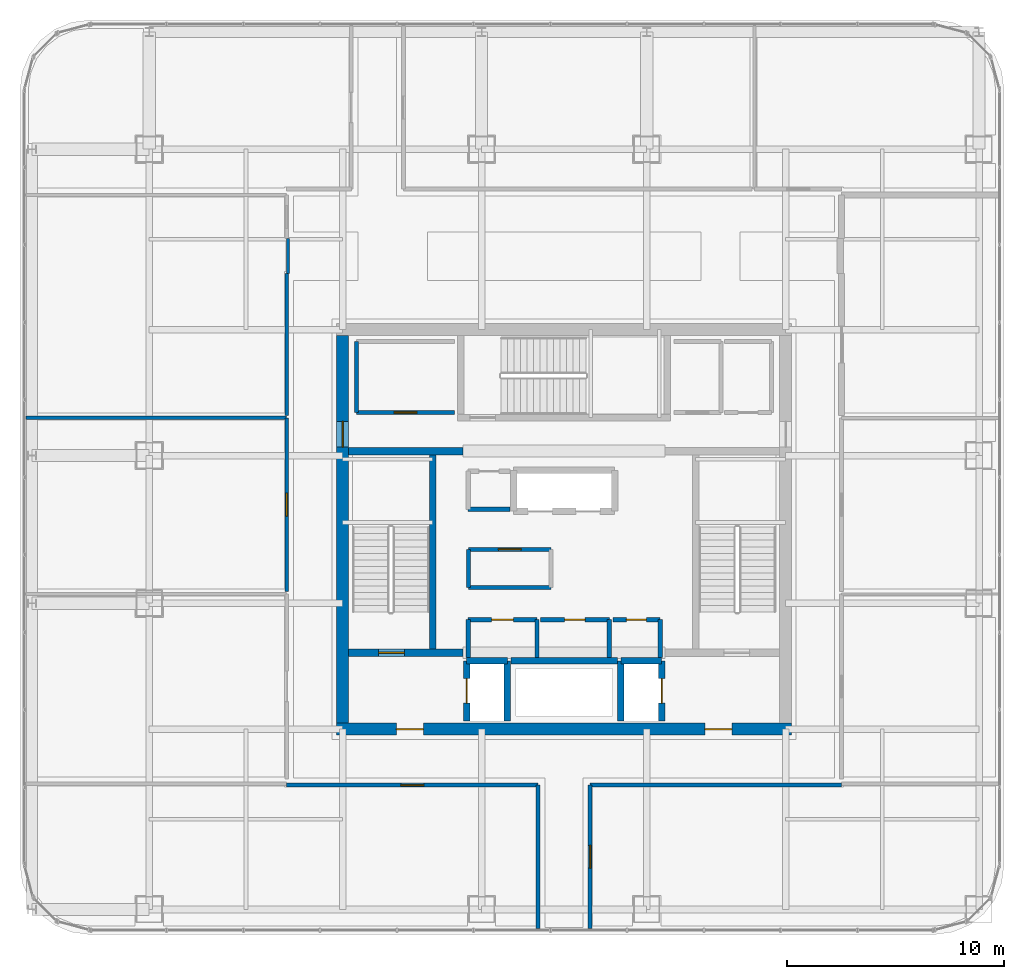
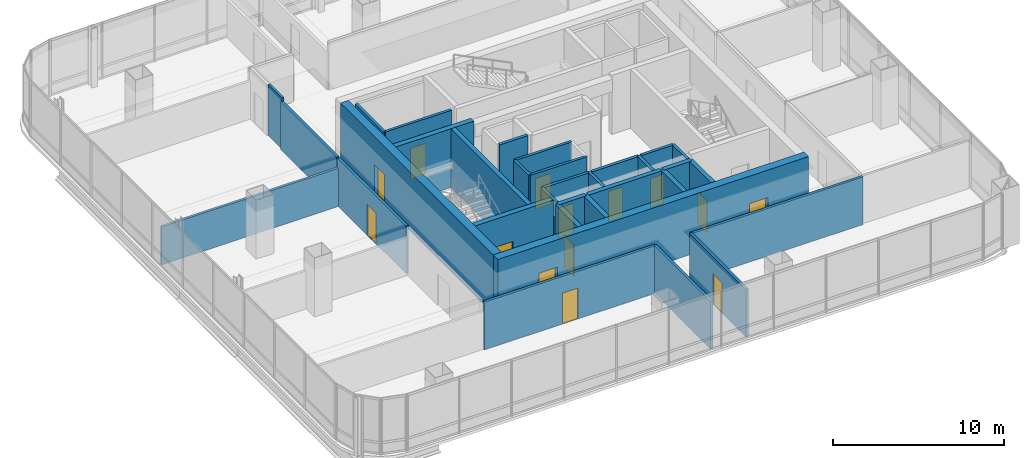
# One storey, part 34 of 41: 33 walls, 14 doors, 14 openings.
"""IFC4 building model written with IfcOpenShell, lengths in metres."""

from ifc_helpers import new_model, si_unit, direction, frame, frame_2d, origin, place, context, subcontext, project, spatial, rectangle, extrude, material, layer, layer_set, type_object, element, fill, save


model = new_model("IFC4")

# Units and contexts
model_context = context("Model", 3, precision=1e-05, world=origin(), true_north=direction((0.0, 1.0)))
body_context = subcontext(model_context, "Body", "Model", "MODEL_VIEW")
ifc_project = project(units=[si_unit("LENGTHUNIT", "METRE"), si_unit("AREAUNIT", "SQUARE_METRE"), si_unit("VOLUMEUNIT", "CUBIC_METRE"), si_unit("PLANEANGLEUNIT", "RADIAN"), si_unit("MASSUNIT", "GRAM", prefix="KILO")], contexts=[model_context])

# Site, building, storey
site_placement = place(None, origin())
site = spatial("IfcSite", under=ifc_project, at=site_placement, CompositionType="ELEMENT")
building_placement = place(site_placement, origin())
building = spatial("IfcBuilding", under=site, at=building_placement, Name="Punatoya Terracotta Tower", CompositionType="ELEMENT")
storey_placement = place(building_placement, frame((0.0, 0.0, 292.199951171875)))
storey = spatial("IfcBuildingStorey", under=building, at=storey_placement, Name="L69", CompositionType="ELEMENT", Elevation=292.199951171875)

# Wall, openings, doors
ifc_material_1 = material(Name="Concrete C50/60", Category="concrete")
ifc_layer_1 = layer(ifc_material_1, 0.550048828125)
ifc_layer_set_1 = layer_set([ifc_layer_1], Name="Concrete C50/60")
wall_type_1 = type_object("IfcWallType", Name="WL-COR-550", PredefinedType="SHEAR", material=ifc_layer_set_1)
wall_1_placement = place(storey_placement, frame((10.47509765625, -9.199951171875, 0.0), z_axis=(0.0, 0.0, 1.0), x_axis=(-1.0, 0.0, 0.0)))
wall_1 = element("IfcWall", 1, at=wall_1_placement, inside=storey, type_object=wall_type_1, Name="L69 Core Shear Wall S", PredefinedType="SHEAR", context=body_context, shape_type="SweptSolid", body=[
    extrude(rectangle(XDim=20.9501953125, YDim=0.550048828125, at=frame_2d((10.47509765625, 0.0))), origin(), (0.0, 0.0, 1.0), 4.199951171875),
])
opening_1_placement = place(wall_1_placement, frame((2.75, 0.0, 0.0)))
opening_1 = element("IfcOpeningElement", 2, at=opening_1_placement, cuts=wall_1, Name="Opening FD-L1", PredefinedType="OPENING", context=body_context, shape_type="SweptSolid", body=[
    extrude(rectangle(XDim=1.25, YDim=2.25, at=frame_2d((0.625, 1.125))), frame((0.0, 0.284912109375, 0.0), z_axis=(0.0, -1.0, 0.0), x_axis=(1.0, 0.0, 0.0)), (0.0, 0.0, 1.0), 0.570068359375),
])
opening_2_placement = place(wall_1_placement, frame((16.949951171875, 0.0, 0.0)))
opening_2 = element("IfcOpeningElement", 3, at=opening_2_placement, cuts=wall_1, Name="Opening FD-L1", PredefinedType="OPENING", context=body_context, shape_type="SweptSolid", body=[
    extrude(rectangle(XDim=1.25, YDim=2.25, at=frame_2d((0.625, 1.125))), frame((0.0, 0.284912109375, 0.0), z_axis=(0.0, -1.0, 0.0), x_axis=(1.0, 0.0, 0.0)), (0.0, 0.0, 1.0), 0.570068359375),
])
ifc_material_2 = material(Name="Galvanised Steel Smokeproof Fire Door", Category="steel")
door_type_1 = type_object("IfcDoorType", Name="DR-FFL-1250", OperationType="NOTDEFINED", PredefinedType="DOOR", material=ifc_material_2)
door_1_placement = place(opening_1_placement, origin())
door_1 = element("IfcDoor", 4, at=door_1_placement, inside=storey, type_object=door_type_1, Name="L69 East Firefighting Lobby Corridor Fire Door", OperationType="SINGLE_SWING_LEFT", OverallHeight=2.25, OverallWidth=1.25, PredefinedType="DOOR", context=body_context, shape_type="SweptSolid", body=[
    extrude(rectangle(XDim=1.25, YDim=2.25, at=frame_2d((0.625, 1.125))), frame((0.0, 0.02490234375, 0.0), z_axis=(0.0, -1.0, 0.0), x_axis=(1.0, 0.0, 0.0)), (0.0, 0.0, 1.0), 0.050048828125),
])
fill(opening_1, door_1)
door_2_placement = place(opening_2_placement, origin())
door_2 = element("IfcDoor", 5, at=door_2_placement, inside=storey, type_object=door_type_1, Name="L69 West Firefighting Lobby Corridor Fire Door", OperationType="SINGLE_SWING_RIGHT", OverallHeight=2.25, OverallWidth=1.25, PredefinedType="DOOR", context=body_context, shape_type="SweptSolid", body=[
    extrude(rectangle(XDim=1.25, YDim=2.25, at=frame_2d((0.625, 1.125))), frame((0.0, 0.02490234375, 0.0), z_axis=(0.0, -1.0, 0.0), x_axis=(1.0, 0.0, 0.0)), (0.0, 0.0, 1.0), 0.050048828125),
])
fill(opening_2, door_2)

# Wall, opening, door
wall_2_placement = place(storey_placement, frame((-10.199951171875, -8.925048828125, 0.0), z_axis=(0.0, 0.0, 1.0), x_axis=(0.0, 1.0, 0.0)))
wall_2 = element("IfcWall", 6, at=wall_2_placement, inside=storey, type_object=wall_type_1, Name="L69 Core Shear Wall W", PredefinedType="SHEAR", context=body_context, shape_type="SweptSolid", body=[
    extrude(rectangle(XDim=17.85009765625, YDim=0.550048828125, at=frame_2d((8.925048828125, 0.0))), origin(), (0.0, 0.0, 1.0), 4.199951171875),
])
opening_3_placement = place(wall_2_placement, frame((12.715087890625, 0.0, 0.0)))
opening_3 = element("IfcOpeningElement", 7, at=opening_3_placement, cuts=wall_2, Name="Opening SD-01", PredefinedType="OPENING", context=body_context, shape_type="SweptSolid", body=[
    extrude(rectangle(XDim=1.179931640625, YDim=2.199951171875, at=frame_2d((0.58984375, 1.10009765625))), frame((0.0, 0.284912109375, 0.0), z_axis=(0.0, -1.0, 0.0), x_axis=(1.0, 0.0, 0.0)), (0.0, 0.0, 1.0), 0.570068359375),
])
ifc_material_3 = material(Name="Galvanised Steel Pressurized Stair Fire Door", Category="steel")
door_type_2 = type_object("IfcDoorType", Name="DR-STR-1180", OperationType="NOTDEFINED", PredefinedType="DOOR", material=ifc_material_3)
door_3_placement = place(opening_3_placement, origin())
door_3 = element("IfcDoor", 8, at=door_3_placement, inside=storey, type_object=door_type_2, Name="L69 Central Lift Lobby West Fire Door", OperationType="SINGLE_SWING_LEFT", OverallHeight=2.199951171875, OverallWidth=1.179931640625, PredefinedType="DOOR", context=body_context, shape_type="SweptSolid", body=[
    extrude(rectangle(XDim=1.179931640625, YDim=2.199951171875, at=frame_2d((0.58984375, 1.10009765625))), frame((0.0, 0.02490234375, 0.0), z_axis=(0.0, -1.0, 0.0), x_axis=(1.0, 0.0, 0.0)), (0.0, 0.0, 1.0), 0.050048828125),
])
fill(opening_3, door_3)

ifc_material_4 = material(Name="Gypsum Fireboard + Steel Stud", Category="steel")
ifc_layer_2 = layer(ifc_material_4, 0.179931640625)
ifc_layer_set_2 = layer_set([ifc_layer_2], Name="Gypsum Fireboard + Steel Stud")
wall_type_2 = type_object("IfcWallType", Name="WL-CORR-180", PredefinedType="PARTITIONING", material=ifc_layer_set_2)
wall_3_placement = place(storey_placement, frame((-0.60009765625, -0.919921875, 0.0), z_axis=(0.0, 0.0, 1.0), x_axis=(-1.0, 0.0, 0.0)))
wall_3 = element("IfcWall", 9, at=wall_3_placement, inside=storey, type_object=wall_type_2, Name="L69 West Core Archive Office Partition 09", PredefinedType="PARTITIONING", context=body_context, shape_type="SweptSolid", body=[
    extrude(rectangle(XDim=3.7998046875, YDim=0.179931640625, at=frame_2d((1.89990234375, 0.0))), origin(), (0.0, 0.0, 1.0), 4.0),
])
opening_4_placement = place(wall_3_placement, frame((1.375, 0.0, 0.0)))
opening_4 = element("IfcOpeningElement", 10, at=opening_4_placement, cuts=wall_3, Name="Opening OD-01", PredefinedType="OPENING", context=body_context, shape_type="SweptSolid", body=[
    extrude(rectangle(XDim=1.050048828125, YDim=2.199951171875, at=frame_2d((0.52490234375, 1.10009765625))), frame((0.0, 0.099853515625, 0.0), z_axis=(0.0, -1.0, 0.0), x_axis=(1.0, 0.0, 0.0)), (0.0, 0.0, 1.0), 0.199951171875),
])
ifc_material_5 = material(Name="Bengal Teak Solid-Core Leaf")
door_type_3 = type_object("IfcDoorType", Name="DR-OFF-1050", OperationType="NOTDEFINED", PredefinedType="DOOR", material=ifc_material_5)
door_4_placement = place(opening_4_placement, origin())
door_4 = element("IfcDoor", 11, at=door_4_placement, inside=storey, type_object=door_type_3, Name="L69 West Archive Office Door", OperationType="SINGLE_SWING_RIGHT", OverallHeight=2.199951171875, OverallWidth=1.050048828125, PredefinedType="DOOR", context=body_context, shape_type="SweptSolid", body=[
    extrude(rectangle(XDim=1.050048828125, YDim=2.199951171875, at=frame_2d((0.52490234375, 1.10009765625))), frame((0.0, 0.02490234375, 0.0), z_axis=(0.0, -1.0, 0.0), x_axis=(1.0, 0.0, 0.0)), (0.0, 0.0, 1.0), 0.050048828125),
])
fill(opening_4, door_4)

# Walls
wall_4_placement = place(storey_placement, frame((-4.39990234375, -0.919921875, 0.0), z_axis=(0.0, 0.0, 1.0), x_axis=(0.0, -1.0, 0.0)))
element("IfcWall", 12, at=wall_4_placement, inside=storey, type_object=wall_type_2, Name="L69 West Core Archive Office Partition 10", PredefinedType="PARTITIONING", context=body_context, shape_type="SweptSolid", body=[
    extrude(rectangle(XDim=1.760009765625, YDim=0.179931640625, at=frame_2d((0.8798828125, 0.0))), origin(), (0.0, 0.0, 1.0), 4.0),
])
wall_5_placement = place(storey_placement, frame((-4.39990234375, -2.679931640625, 0.0), z_axis=(0.0, 0.0, 1.0), x_axis=(1.0, 0.0, 0.0)))
element("IfcWall", 13, at=wall_5_placement, inside=storey, type_object=wall_type_2, Name="L69 West Core Archive Office Partition 11", PredefinedType="PARTITIONING", context=body_context, shape_type="SweptSolid", body=[
    extrude(rectangle(XDim=3.7998046875, YDim=0.179931640625, at=frame_2d((1.89990234375, 0.0))), origin(), (0.0, 0.0, 1.0), 4.0),
])
wall_6_placement = place(storey_placement, frame((-9.550048828125, 8.64990234375, 0.0), z_axis=(0.0, 0.0, 1.0), x_axis=(0.0, -1.0, 0.0)))
element("IfcWall", 14, at=wall_6_placement, inside=storey, type_object=wall_type_2, Name="L69 West Core Records Office Partition 16", PredefinedType="PARTITIONING", context=body_context, shape_type="SweptSolid", body=[
    extrude(rectangle(XDim=3.27001953125, YDim=0.179931640625, at=frame_2d((1.635009765625, 0.0))), origin(), (0.0, 0.0, 1.0), 4.0),
])

# Wall, opening, door
wall_7_placement = place(storey_placement, frame((-9.550048828125, 5.3798828125, 0.0), z_axis=(0.0, 0.0, 1.0), x_axis=(1.0, 0.0, 0.0)))
wall_7 = element("IfcWall", 15, at=wall_7_placement, inside=storey, type_object=wall_type_2, Name="L69 West Core Records Office Partition 17", PredefinedType="PARTITIONING", context=body_context, shape_type="SweptSolid", body=[
    extrude(rectangle(XDim=4.5, YDim=0.179931640625, at=frame_2d((2.25, 0.0))), origin(), (0.0, 0.0, 1.0), 4.0),
])
opening_5_placement = place(wall_7_placement, frame((1.72509765625, 0.0, 0.0)))
opening_5 = element("IfcOpeningElement", 16, at=opening_5_placement, cuts=wall_7, Name="Opening OD-01", PredefinedType="OPENING", context=body_context, shape_type="SweptSolid", body=[
    extrude(rectangle(XDim=1.050048828125, YDim=2.199951171875, at=frame_2d((0.52490234375, 1.10009765625))), frame((0.0, 0.099853515625, 0.0), z_axis=(0.0, -1.0, 0.0), x_axis=(1.0, 0.0, 0.0)), (0.0, 0.0, 1.0), 0.199951171875),
])
door_5_placement = place(opening_5_placement, origin())
door_5 = element("IfcDoor", 17, at=door_5_placement, inside=storey, type_object=door_type_3, Name="L69 West Records Office Door", OperationType="SINGLE_SWING_RIGHT", OverallHeight=2.199951171875, OverallWidth=1.050048828125, PredefinedType="DOOR", context=body_context, shape_type="SweptSolid", body=[
    extrude(rectangle(XDim=1.050048828125, YDim=2.199951171875, at=frame_2d((0.52490234375, 1.10009765625))), frame((0.0, 0.02490234375, 0.0), z_axis=(0.0, -1.0, 0.0), x_axis=(1.0, 0.0, 0.0)), (0.0, 0.0, 1.0), 0.050048828125),
])
fill(opening_5, door_5)

wall_8_placement = place(storey_placement, frame((-12.77001953125, -11.77001953125, 0.0), z_axis=(0.0, 0.0, 1.0), x_axis=(1.0, 0.0, 0.0)))
wall_8 = element("IfcWall", 18, at=wall_8_placement, inside=storey, type_object=wall_type_2, Name="L69 Staff Wellness Studio Partition 24", PredefinedType="PARTITIONING", context=body_context, shape_type="SweptSolid", body=[
    extrude(rectangle(XDim=11.570068359375, YDim=0.179931640625, at=frame_2d((5.78515625, 0.0))), origin(), (0.0, 0.0, 1.0), 3.39404296875),
])
opening_6_placement = place(wall_8_placement, frame((5.260009765625, 0.0, 0.0)))
opening_6 = element("IfcOpeningElement", 19, at=opening_6_placement, cuts=wall_8, Name="Opening OD-01", PredefinedType="OPENING", context=body_context, shape_type="SweptSolid", body=[
    extrude(rectangle(XDim=1.050048828125, YDim=2.199951171875, at=frame_2d((0.52490234375, 1.10009765625))), frame((0.0, 0.099853515625, 0.0), z_axis=(0.0, -1.0, 0.0), x_axis=(1.0, 0.0, 0.0)), (0.0, 0.0, 1.0), 0.199951171875),
])
door_6_placement = place(opening_6_placement, origin())
door_6 = element("IfcDoor", 20, at=door_6_placement, inside=storey, type_object=door_type_3, Name="L69 Staff Wellness Studio Door", OperationType="SINGLE_SWING_LEFT", OverallHeight=2.199951171875, OverallWidth=1.050048828125, PredefinedType="DOOR", context=body_context, shape_type="SweptSolid", body=[
    extrude(rectangle(XDim=1.050048828125, YDim=2.199951171875, at=frame_2d((0.52490234375, 1.10009765625))), frame((0.0, 0.02490234375, 0.0), z_axis=(0.0, -1.0, 0.0), x_axis=(1.0, 0.0, 0.0)), (0.0, 0.0, 1.0), 0.050048828125),
])
fill(opening_6, door_6)

# Wall
wall_9_placement = place(storey_placement, frame((-1.199951171875, -11.77001953125, 0.0), z_axis=(0.0, 0.0, 1.0), x_axis=(0.0, -1.0, 0.0)))
element("IfcWall", 21, at=wall_9_placement, inside=storey, type_object=wall_type_2, Name="L69 Staff Wellness Studio Partition 25", PredefinedType="PARTITIONING", context=body_context, shape_type="SweptSolid", body=[
    extrude(rectangle(XDim=6.60009765625, YDim=0.179931640625, at=frame_2d((3.300048828125, 0.0))), origin(), (0.0, 0.0, 1.0), 3.39404296875),
])

# Wall, opening, door
wall_10_placement = place(storey_placement, frame((1.199951171875, -18.3701171875, 0.0), z_axis=(0.0, 0.0, 1.0), x_axis=(0.0, 1.0, 0.0)))
wall_10 = element("IfcWall", 22, at=wall_10_placement, inside=storey, type_object=wall_type_2, Name="L69 Open-Plan Occupational Rest Lounge Partition 27", PredefinedType="PARTITIONING", context=body_context, shape_type="SweptSolid", body=[
    extrude(rectangle(XDim=6.60009765625, YDim=0.179931640625, at=frame_2d((3.300048828125, 0.0))), origin(), (0.0, 0.0, 1.0), 3.39404296875),
])
opening_7_placement = place(wall_10_placement, frame((2.77490234375, 0.0, 0.0)))
opening_7 = element("IfcOpeningElement", 23, at=opening_7_placement, cuts=wall_10, Name="Opening OD-01", PredefinedType="OPENING", context=body_context, shape_type="SweptSolid", body=[
    extrude(rectangle(XDim=1.050048828125, YDim=2.199951171875, at=frame_2d((0.52490234375, 1.10009765625))), frame((0.0, 0.099853515625, 0.0), z_axis=(0.0, -1.0, 0.0), x_axis=(1.0, 0.0, 0.0)), (0.0, 0.0, 1.0), 0.199951171875),
])
door_7_placement = place(opening_7_placement, origin())
door_7 = element("IfcDoor", 24, at=door_7_placement, inside=storey, type_object=door_type_3, Name="L69 Open-Plan Occupational Rest Lounge Door", OperationType="SINGLE_SWING_RIGHT", OverallHeight=2.199951171875, OverallWidth=1.050048828125, PredefinedType="DOOR", context=body_context, shape_type="SweptSolid", body=[
    extrude(rectangle(XDim=1.050048828125, YDim=2.199951171875, at=frame_2d((0.52490234375, 1.10009765625))), frame((0.0, 0.02490234375, 0.0), z_axis=(0.0, -1.0, 0.0), x_axis=(1.0, 0.0, 0.0)), (0.0, 0.0, 1.0), 0.050048828125),
])
fill(opening_7, door_7)

# Wall
wall_11_placement = place(storey_placement, frame((1.199951171875, -11.77001953125, 0.0), z_axis=(0.0, 0.0, 1.0), x_axis=(1.0, 0.0, 0.0)))
element("IfcWall", 25, at=wall_11_placement, inside=storey, type_object=wall_type_2, Name="L69 Open-Plan Occupational Rest Lounge Partition 28", PredefinedType="PARTITIONING", context=body_context, shape_type="SweptSolid", body=[
    extrude(rectangle(XDim=11.570068359375, YDim=0.179931640625, at=frame_2d((5.78515625, 0.0))), origin(), (0.0, 0.0, 1.0), 3.39404296875),
])

# Wall, opening, door
wall_12_placement = place(storey_placement, frame((-12.77001953125, 5.1298828125, 0.0), z_axis=(0.0, 0.0, 1.0), x_axis=(0.0, -1.0, 0.0)))
wall_12 = element("IfcWall", 26, at=wall_12_placement, inside=storey, type_object=wall_type_2, Name="L69 Open-Plan Nutrition Tea Pantry Partition 35", PredefinedType="PARTITIONING", context=body_context, shape_type="SweptSolid", body=[
    extrude(rectangle(XDim=7.97998046875, YDim=0.179931640625, at=frame_2d((3.989990234375, 0.0))), origin(), (0.0, 0.0, 1.0), 3.39404296875),
])
opening_8_placement = place(wall_12_placement, frame((3.465087890625, 0.0, 0.0)))
opening_8 = element("IfcOpeningElement", 27, at=opening_8_placement, cuts=wall_12, Name="Opening OD-01", PredefinedType="OPENING", context=body_context, shape_type="SweptSolid", body=[
    extrude(rectangle(XDim=1.050048828125, YDim=2.199951171875, at=frame_2d((0.52490234375, 1.10009765625))), frame((0.0, 0.099853515625, 0.0), z_axis=(0.0, -1.0, 0.0), x_axis=(1.0, 0.0, 0.0)), (0.0, 0.0, 1.0), 0.199951171875),
])
door_8_placement = place(opening_8_placement, origin())
door_8 = element("IfcDoor", 28, at=door_8_placement, inside=storey, type_object=door_type_3, Name="L69 Open-Plan Nutrition Tea Pantry Door", OperationType="SINGLE_SWING_LEFT", OverallHeight=2.199951171875, OverallWidth=1.050048828125, PredefinedType="DOOR", context=body_context, shape_type="SweptSolid", body=[
    extrude(rectangle(XDim=1.050048828125, YDim=2.199951171875, at=frame_2d((0.52490234375, 1.10009765625))), frame((0.0, 0.02490234375, 0.0), z_axis=(0.0, -1.0, 0.0), x_axis=(1.0, 0.0, 0.0)), (0.0, 0.0, 1.0), 0.050048828125),
])
fill(opening_8, door_8)

# Walls
wall_13_placement = place(storey_placement, frame((-12.77001953125, 11.77001953125, 0.0), z_axis=(0.0, 0.0, 1.0), x_axis=(0.0, -1.0, 0.0)))
element("IfcWall", 29, at=wall_13_placement, inside=storey, type_object=wall_type_2, Name="L69 Cultural Reading Library Partition 41", PredefinedType="PARTITIONING", context=body_context, shape_type="SweptSolid", body=[
    extrude(rectangle(XDim=6.52001953125, YDim=0.179931640625, at=frame_2d((3.260009765625, 0.0))), origin(), (0.0, 0.0, 1.0), 3.39404296875),
])
ifc_material_6 = material(Name="Concrete C40/50", Category="concrete")
ifc_layer_3 = layer(ifc_material_6, 0.199951171875)
ifc_layer_set_3 = layer_set([ifc_layer_3], Name="Concrete C40/50")
wall_type_3 = type_object("IfcWallType", Name="WL-INT-200", PredefinedType="SOLIDWALL", material=ifc_layer_set_3)
wall_14_placement = place(storey_placement, frame((-1.25, -5.89990234375, 0.0), z_axis=(0.0, 0.0, 1.0), x_axis=(0.0, 1.0, 0.0)))
element("IfcWall", 30, at=wall_14_placement, inside=storey, type_object=wall_type_3, Name="L69 Accessible Universal Washroom Partition 01", PredefinedType="SOLIDWALL", context=body_context, shape_type="SweptSolid", body=[
    extrude(rectangle(XDim=1.739990234375, YDim=0.199951171875, at=frame_2d((0.8701171875, 0.0))), origin(), (0.0, 0.0, 1.0), 4.0),
])

# Wall, opening, door
wall_15_placement = place(storey_placement, frame((-1.25, -4.159912109375, 0.0), z_axis=(0.0, 0.0, 1.0), x_axis=(-1.0, 0.0, 0.0)))
wall_15 = element("IfcWall", 31, at=wall_15_placement, inside=storey, type_object=wall_type_3, Name="L69 Accessible Universal Washroom Partition 02", PredefinedType="SOLIDWALL", context=body_context, shape_type="SweptSolid", body=[
    extrude(rectangle(XDim=3.169921875, YDim=0.199951171875, at=frame_2d((1.5849609375, 0.0))), origin(), (0.0, 0.0, 1.0), 4.0),
])
opening_9_placement = place(wall_15_placement, frame((1.0849609375, 0.0, 0.0)))
opening_9 = element("IfcOpeningElement", 32, at=opening_9_placement, cuts=wall_15, Name="Opening AWD-1", PredefinedType="OPENING", context=body_context, shape_type="SweptSolid", body=[
    extrude(rectangle(XDim=1.0, YDim=2.14990234375, at=frame_2d((0.5, 1.074951171875))), frame((0.0, 0.10986328125, 0.0), z_axis=(0.0, -1.0, 0.0), x_axis=(1.0, 0.0, 0.0)), (0.0, 0.0, 1.0), 0.219970703125),
])
ifc_material_7 = material(Name="Bengal Teak Accessible WC Leaf")
door_type_4 = type_object("IfcDoorType", Name="DR-ACC-1000", OperationType="NOTDEFINED", PredefinedType="DOOR", material=ifc_material_7)
door_9_placement = place(opening_9_placement, origin())
door_9 = element("IfcDoor", 33, at=door_9_placement, inside=storey, type_object=door_type_4, Name="L69 Accessible Universal Washroom Door", OperationType="SINGLE_SWING_LEFT", OverallHeight=2.14990234375, OverallWidth=1.0, PredefinedType="DOOR", context=body_context, shape_type="SweptSolid", body=[
    extrude(rectangle(XDim=1.0, YDim=2.14990234375, at=frame_2d((0.5, 1.074951171875))), frame((0.0, 0.02490234375, 0.0), z_axis=(0.0, -1.0, 0.0), x_axis=(1.0, 0.0, 0.0)), (0.0, 0.0, 1.0), 0.050048828125),
])
fill(opening_9, door_9)

# Walls
for number, where, z_axis, x_axis, name in (
    (34, (-4.419921875, -4.159912109375, 0.0), (0.0, 0.0, 1.0), (0.0, -1.0, 0.0), "L69 Accessible Universal Washroom Partition 03"),
    (35, (2.080078125, -5.89990234375, 0.0), (0.0, 0.0, 1.0), (0.0, 1.0, 0.0), "L69 All-Gender Universal Washroom Partition 04"),
):
    element("IfcWall", number, at=place(storey_placement, frame(where, z_axis=z_axis, x_axis=x_axis)), inside=storey, type_object=wall_type_3, Name=name, PredefinedType="SOLIDWALL", context=body_context, shape_type="SweptSolid", body=[
        extrude(rectangle(XDim=1.739990234375, YDim=0.199951171875, at=frame_2d((0.8701171875, 0.0))), origin(), (0.0, 0.0, 1.0), 4.0),
    ])

# Wall, opening, door
wall_16_placement = place(storey_placement, frame((2.080078125, -4.159912109375, 0.0), z_axis=(0.0, 0.0, 1.0), x_axis=(-1.0, 0.0, 0.0)))
wall_16 = element("IfcWall", 36, at=wall_16_placement, inside=storey, type_object=wall_type_3, Name="L69 All-Gender Universal Washroom Partition 05", PredefinedType="SOLIDWALL", context=body_context, shape_type="SweptSolid", body=[
    extrude(rectangle(XDim=3.170166015625, YDim=0.199951171875, at=frame_2d((1.5849609375, 0.0))), origin(), (0.0, 0.0, 1.0), 4.0),
])
opening_10_placement = place(wall_16_placement, frame((1.110107421875, 0.0, 0.0)))
opening_10 = element("IfcOpeningElement", 37, at=opening_10_placement, cuts=wall_16, Name="Opening WD-01", PredefinedType="OPENING", context=body_context, shape_type="SweptSolid", body=[
    extrude(rectangle(XDim=0.949951171875, YDim=2.14990234375, at=frame_2d((0.47509765625, 1.074951171875))), frame((0.0, 0.10986328125, 0.0), z_axis=(0.0, -1.0, 0.0), x_axis=(1.0, 0.0, 0.0)), (0.0, 0.0, 1.0), 0.219970703125),
])
ifc_material_8 = material(Name="Moisture-Resistant Laminate Timber Leaf", Category="wood")
door_type_5 = type_object("IfcDoorType", Name="DR-WC-950", OperationType="NOTDEFINED", PredefinedType="DOOR", material=ifc_material_8)
door_10_placement = place(opening_10_placement, origin())
door_10 = element("IfcDoor", 38, at=door_10_placement, inside=storey, type_object=door_type_5, Name="L69 All-Gender Universal Washroom Door", OperationType="SINGLE_SWING_RIGHT", OverallHeight=2.14990234375, OverallWidth=0.949951171875, PredefinedType="DOOR", context=body_context, shape_type="SweptSolid", body=[
    extrude(rectangle(XDim=0.949951171875, YDim=2.14990234375, at=frame_2d((0.47509765625, 1.074951171875))), frame((0.0, 0.02490234375, 0.0), z_axis=(0.0, -1.0, 0.0), x_axis=(1.0, 0.0, 0.0)), (0.0, 0.0, 1.0), 0.050048828125),
])
fill(opening_10, door_10)

# Wall
wall_17_placement = place(storey_placement, frame((4.419921875, -5.89990234375, 0.0), z_axis=(0.0, 0.0, 1.0), x_axis=(0.0, 1.0, 0.0)))
element("IfcWall", 39, at=wall_17_placement, inside=storey, type_object=wall_type_3, Name="L69 Core Electrical Switchgear Room Partition 06", PredefinedType="SOLIDWALL", context=body_context, shape_type="SweptSolid", body=[
    extrude(rectangle(XDim=1.739990234375, YDim=0.199951171875, at=frame_2d((0.8701171875, 0.0))), origin(), (0.0, 0.0, 1.0), 4.0),
])

# Wall, opening, door
wall_18_placement = place(storey_placement, frame((4.419921875, -4.159912109375, 0.0), z_axis=(0.0, 0.0, 1.0), x_axis=(-1.0, 0.0, 0.0)))
wall_18 = element("IfcWall", 40, at=wall_18_placement, inside=storey, type_object=wall_type_3, Name="L69 Core Electrical Switchgear Room Partition 07", PredefinedType="SOLIDWALL", context=body_context, shape_type="SweptSolid", body=[
    extrude(rectangle(XDim=2.179931640625, YDim=0.199951171875, at=frame_2d((1.08984375, 0.0))), origin(), (0.0, 0.0, 1.0), 4.0),
])
opening_11_placement = place(wall_18_placement, frame((0.6298828125, 0.0, 0.0)))
opening_11 = element("IfcOpeningElement", 41, at=opening_11_placement, cuts=wall_18, Name="Opening FD-R1", PredefinedType="OPENING", context=body_context, shape_type="SweptSolid", body=[
    extrude(rectangle(XDim=0.919921875, YDim=2.10009765625, at=frame_2d((0.4599609375, 1.050048828125))), frame((0.0, 0.10986328125, 0.0), z_axis=(0.0, -1.0, 0.0), x_axis=(1.0, 0.0, 0.0)), (0.0, 0.0, 1.0), 0.219970703125),
])
ifc_material_9 = material(Name="Galvanised Steel Riser Fire Access Door", Category="steel")
door_type_6 = type_object("IfcDoorType", Name="DR-RSR-920", OperationType="NOTDEFINED", PredefinedType="DOOR", material=ifc_material_9)
door_11_placement = place(opening_11_placement, origin())
door_11 = element("IfcDoor", 42, at=door_11_placement, inside=storey, type_object=door_type_6, Name="L69 Core Electrical Switchgear Room Fire Door", OperationType="SINGLE_SWING_LEFT", OverallHeight=2.10009765625, OverallWidth=0.919921875, PredefinedType="DOOR", context=body_context, shape_type="SweptSolid", body=[
    extrude(rectangle(XDim=0.919921875, YDim=2.10009765625, at=frame_2d((0.4599609375, 1.050048828125))), frame((0.0, 0.02490234375, 0.0), z_axis=(0.0, -1.0, 0.0), x_axis=(1.0, 0.0, 0.0)), (0.0, 0.0, 1.0), 0.050048828125),
])
fill(opening_11, door_11)

# Walls
wall_19_placement = place(storey_placement, frame((-4.419921875, 0.919921875, 0.0), z_axis=(0.0, 0.0, 1.0), x_axis=(1.0, 0.0, 0.0)))
element("IfcWall", 43, at=wall_19_placement, inside=storey, type_object=wall_type_3, Name="L69 Core Security Equipment Closet Partition 14", PredefinedType="SOLIDWALL", context=body_context, shape_type="SweptSolid", body=[
    extrude(rectangle(XDim=1.919921875, YDim=0.199951171875, at=frame_2d((0.9599609375, 0.0))), origin(), (0.0, 0.0, 1.0), 4.0),
])
ifc_material_10 = material(Name="Acoustic Gypsum + Steel Stud", Category="steel")
ifc_layer_4 = layer(ifc_material_10, 0.139892578125)
ifc_layer_set_4 = layer_set([ifc_layer_4], Name="Acoustic Gypsum + Steel Stud")
wall_type_4 = type_object("IfcWallType", Name="WL-OFF-140", PredefinedType="PARTITIONING", material=ifc_layer_set_4)
wall_20_placement = place(storey_placement, frame((-12.7099609375, 13.3798828125, 0.0), z_axis=(0.0, 0.0, 1.0), x_axis=(0.0, -1.0, 0.0)))
element("IfcWall", 44, at=wall_20_placement, inside=storey, type_object=wall_type_4, Name="L69 Cultural Reading Library Partition 40", PredefinedType="PARTITIONING", context=body_context, shape_type="SweptSolid", body=[
    extrude(rectangle(XDim=1.60986328125, YDim=0.139892578125, at=frame_2d((0.804931640625, 0.0))), origin(), (0.0, 0.0, 1.0), 3.634033203125),
])
ifc_layer_5 = layer(ifc_material_6, 0.300048828125)
ifc_layer_set_5 = layer_set([ifc_layer_5], Name="Concrete C40/50")
wall_type_5 = type_object("IfcWallType", Name="WL-SHF-300", PredefinedType="SOLIDWALL", material=ifc_layer_set_5)
wall_21_placement = place(storey_placement, frame((-6.050048828125, -5.5, 0.0), z_axis=(0.0, 0.0, 1.0), x_axis=(0.0, 1.0, 0.0)))
element("IfcWall", 45, at=wall_21_placement, inside=storey, type_object=wall_type_5, Name="L69 Structural Stair Shaft Wall SW-ST1-E", PredefinedType="SOLIDWALL", context=body_context, shape_type="SweptSolid", body=[
    extrude(rectangle(XDim=8.949951171875, YDim=0.300048828125, at=frame_2d((4.47509765625, 0.0))), origin(), (0.0, 0.0, 1.0), 4.199951171875),
])

# Wall, opening, door
wall_22_placement = place(storey_placement, frame((-4.489990234375, -8.820068359375, 0.0), z_axis=(0.0, 0.0, 1.0), x_axis=(0.0, 1.0, 0.0)))
wall_22 = element("IfcWall", 46, at=wall_22_placement, inside=storey, type_object=wall_type_5, Name="L69 FFL-1 Front Hoistway Wall", PredefinedType="SOLIDWALL", context=body_context, shape_type="SweptSolid", body=[
    extrude(rectangle(XDim=2.77001953125, YDim=0.300048828125, at=frame_2d((1.385009765625, 0.0))), origin(), (0.0, 0.0, 1.0), 4.0),
])
opening_12_placement = place(wall_22_placement, frame((0.824951171875, 0.0, 0.0)))
opening_12 = element("IfcOpeningElement", 47, at=opening_12_placement, cuts=wall_22, Name="Opening LD-02", PredefinedType="OPENING", context=body_context, shape_type="SweptSolid", body=[
    extrude(rectangle(XDim=1.1201171875, YDim=2.25, at=frame_2d((0.56005859375, 1.125))), frame((0.0, 0.159912109375, 0.0), z_axis=(0.0, -1.0, 0.0), x_axis=(1.0, 0.0, 0.0)), (0.0, 0.0, 1.0), 0.320068359375),
])
ifc_material_11 = material(Name="Stainless Steel Lift Landing Door", Category="steel")
door_type_7 = type_object("IfcDoorType", Name="DR-LND-1120", OperationType="NOTDEFINED", PredefinedType="DOOR", material=ifc_material_11)
door_12_placement = place(opening_12_placement, origin())
door_12 = element("IfcDoor", 48, at=door_12_placement, inside=storey, type_object=door_type_7, Name="L69 Firefighting Lift FFL-1 Sliding Landing Door", OperationType="SLIDING_TO_LEFT", OverallHeight=2.25, OverallWidth=1.1201171875, PredefinedType="DOOR", context=body_context, shape_type="SweptSolid", body=[
    extrude(rectangle(XDim=1.1201171875, YDim=2.25, at=frame_2d((0.56005859375, 1.125))), frame((0.0, 0.02490234375, 0.0), z_axis=(0.0, -1.0, 0.0), x_axis=(1.0, 0.0, 0.0)), (0.0, 0.0, 1.0), 0.050048828125),
])
fill(opening_12, door_12)

# Walls
wall_23_placement = place(storey_placement, frame((-2.610107421875, -8.820068359375, 0.0), z_axis=(0.0, 0.0, 1.0), x_axis=(0.0, 1.0, 0.0)))
element("IfcWall", 49, at=wall_23_placement, inside=storey, type_object=wall_type_5, Name="L69 FFL-1 Rear Hoistway Wall", PredefinedType="SOLIDWALL", context=body_context, shape_type="SweptSolid", body=[
    extrude(rectangle(XDim=2.77001953125, YDim=0.300048828125, at=frame_2d((1.385009765625, 0.0))), origin(), (0.0, 0.0, 1.0), 4.0),
])
wall_24_placement = place(storey_placement, frame((-4.489990234375, -6.050048828125, 0.0), z_axis=(0.0, 0.0, 1.0), x_axis=(1.0, 0.0, 0.0)))
element("IfcWall", 50, at=wall_24_placement, inside=storey, type_object=wall_type_5, Name="L69 FFL-1 North Hoistway Wall", PredefinedType="SOLIDWALL", context=body_context, shape_type="SweptSolid", body=[
    extrude(rectangle(XDim=1.8798828125, YDim=0.300048828125, at=frame_2d((0.93994140625, 0.0))), origin(), (0.0, 0.0, 1.0), 4.0),
])

# Wall, opening, door
wall_25_placement = place(storey_placement, frame((4.489990234375, -8.820068359375, 0.0), z_axis=(0.0, 0.0, 1.0), x_axis=(0.0, 1.0, 0.0)))
wall_25 = element("IfcWall", 51, at=wall_25_placement, inside=storey, type_object=wall_type_5, Name="L69 FFL-2 Front Hoistway Wall", PredefinedType="SOLIDWALL", context=body_context, shape_type="SweptSolid", body=[
    extrude(rectangle(XDim=2.77001953125, YDim=0.300048828125, at=frame_2d((1.385009765625, 0.0))), origin(), (0.0, 0.0, 1.0), 4.0),
])
opening_13_placement = place(wall_25_placement, frame((0.824951171875, 0.0, 0.0)))
opening_13 = element("IfcOpeningElement", 52, at=opening_13_placement, cuts=wall_25, Name="Opening LD-02", PredefinedType="OPENING", context=body_context, shape_type="SweptSolid", body=[
    extrude(rectangle(XDim=1.1201171875, YDim=2.25, at=frame_2d((0.56005859375, 1.125))), frame((0.0, 0.159912109375, 0.0), z_axis=(0.0, -1.0, 0.0), x_axis=(1.0, 0.0, 0.0)), (0.0, 0.0, 1.0), 0.320068359375),
])
door_13_placement = place(opening_13_placement, origin())
door_13 = element("IfcDoor", 53, at=door_13_placement, inside=storey, type_object=door_type_7, Name="L69 Firefighting Lift FFL-2 Sliding Landing Door", OperationType="SLIDING_TO_RIGHT", OverallHeight=2.25, OverallWidth=1.1201171875, PredefinedType="DOOR", context=body_context, shape_type="SweptSolid", body=[
    extrude(rectangle(XDim=1.1201171875, YDim=2.25, at=frame_2d((0.56005859375, 1.125))), frame((0.0, 0.02490234375, 0.0), z_axis=(0.0, -1.0, 0.0), x_axis=(1.0, 0.0, 0.0)), (0.0, 0.0, 1.0), 0.050048828125),
])
fill(opening_13, door_13)

# Walls
wall_26_placement = place(storey_placement, frame((2.610107421875, -8.820068359375, 0.0), z_axis=(0.0, 0.0, 1.0), x_axis=(0.0, 1.0, 0.0)))
element("IfcWall", 54, at=wall_26_placement, inside=storey, type_object=wall_type_5, Name="L69 FFL-2 Rear Hoistway Wall", PredefinedType="SOLIDWALL", context=body_context, shape_type="SweptSolid", body=[
    extrude(rectangle(XDim=2.77001953125, YDim=0.300048828125, at=frame_2d((1.385009765625, 0.0))), origin(), (0.0, 0.0, 1.0), 4.0),
])
wall_27_placement = place(storey_placement, frame((2.610107421875, -6.050048828125, 0.0), z_axis=(0.0, 0.0, 1.0), x_axis=(1.0, 0.0, 0.0)))
element("IfcWall", 55, at=wall_27_placement, inside=storey, type_object=wall_type_5, Name="L69 FFL-2 North Hoistway Wall", PredefinedType="SOLIDWALL", context=body_context, shape_type="SweptSolid", body=[
    extrude(rectangle(XDim=1.8798828125, YDim=0.300048828125, at=frame_2d((0.93994140625, 0.0))), origin(), (0.0, 0.0, 1.0), 4.0),
])
wall_28_placement = place(storey_placement, frame((-2.449951171875, -6.050048828125, 0.0), z_axis=(0.0, 0.0, 1.0), x_axis=(1.0, 0.0, 0.0)))
element("IfcWall", 56, at=wall_28_placement, inside=storey, type_object=wall_type_5, Name="L69 Observation Shuttle Rear Hoistway Wall", PredefinedType="SOLIDWALL", context=body_context, shape_type="SweptSolid", body=[
    extrude(rectangle(XDim=4.89990234375, YDim=0.300048828125, at=frame_2d((2.449951171875, 0.0))), origin(), (0.0, 0.0, 1.0), 4.0),
])

# Wall, opening, door
ifc_layer_6 = layer(ifc_material_1, 0.35009765625)
ifc_layer_set_6 = layer_set([ifc_layer_6], Name="Concrete C50/60")
wall_type_6 = type_object("IfcWallType", Name="WL-SHF-350", PredefinedType="SOLIDWALL", material=ifc_layer_set_6)
wall_29_placement = place(storey_placement, frame((-9.925048828125, -5.679931640625, 0.0), z_axis=(0.0, 0.0, 1.0), x_axis=(1.0, 0.0, 0.0)))
wall_29 = element("IfcWall", 57, at=wall_29_placement, inside=storey, type_object=wall_type_6, Name="L69 Core Web Wall CSW-L", PredefinedType="SOLIDWALL", context=body_context, shape_type="SweptSolid", body=[
    extrude(rectangle(XDim=5.275146484375, YDim=0.35009765625, at=frame_2d((2.6376953125, 0.0))), origin(), (0.0, 0.0, 1.0), 4.199951171875),
])
opening_14_placement = place(wall_29_placement, frame((1.385009765625, 0.0, 0.0)))
opening_14 = element("IfcOpeningElement", 58, at=opening_14_placement, cuts=wall_29, Name="Opening SD-01", PredefinedType="OPENING", context=body_context, shape_type="SweptSolid", body=[
    extrude(rectangle(XDim=1.179931640625, YDim=2.199951171875, at=frame_2d((0.58984375, 1.10009765625))), frame((0.0, 0.18505859375, 0.0), z_axis=(0.0, -1.0, 0.0), x_axis=(1.0, 0.0, 0.0)), (0.0, 0.0, 1.0), 0.3701171875),
])
door_14_placement = place(opening_14_placement, origin())
door_14 = element("IfcDoor", 59, at=door_14_placement, inside=storey, type_object=door_type_2, Name="L69 Stair ST-1 Smokeproof Lobby Fire Door", OperationType="SINGLE_SWING_LEFT", OverallHeight=2.199951171875, OverallWidth=1.179931640625, PredefinedType="DOOR", context=body_context, shape_type="SweptSolid", body=[
    extrude(rectangle(XDim=1.179931640625, YDim=2.199951171875, at=frame_2d((0.58984375, 1.10009765625))), frame((0.0, 0.02490234375, 0.0), z_axis=(0.0, -1.0, 0.0), x_axis=(1.0, 0.0, 0.0)), (0.0, 0.0, 1.0), 0.050048828125),
])
fill(opening_14, door_14)

# Walls
wall_30_placement = place(storey_placement, frame((-9.925048828125, 3.60009765625, 0.0), z_axis=(0.0, 0.0, 1.0), x_axis=(1.0, 0.0, 0.0)))
element("IfcWall", 60, at=wall_30_placement, inside=storey, type_object=wall_type_6, Name="L69 Core Web Wall CNW-L", PredefinedType="SOLIDWALL", context=body_context, shape_type="SweptSolid", body=[
    extrude(rectangle(XDim=5.275146484375, YDim=0.35009765625, at=frame_2d((2.6376953125, 0.0))), origin(), (0.0, 0.0, 1.0), 4.199951171875),
])
ifc_material_12 = material(Name="Masonry Blockwork + Ceramic Tile", Category="masonry")
ifc_layer_7 = layer(ifc_material_12, 0.159912109375)
ifc_layer_set_7 = layer_set([ifc_layer_7], Name="Masonry Blockwork + Ceramic Tile")
wall_type_7 = type_object("IfcWallType", Name="WL-WET-160", PredefinedType="PARTITIONING", material=ifc_layer_set_7)
wall_31_placement = place(storey_placement, frame((-24.77001953125, 5.1298828125, 0.0), z_axis=(0.0, 0.0, 1.0), x_axis=(1.0, 0.0, 0.0)))
element("IfcWall", 61, at=wall_31_placement, inside=storey, type_object=wall_type_7, Name="L69 Open-Plan Nutrition Tea Pantry Partition 34", PredefinedType="PARTITIONING", context=body_context, shape_type="SweptSolid", body=[
    extrude(rectangle(XDim=12.0, YDim=0.159912109375, at=frame_2d((6.0, 0.0))), origin(), (0.0, 0.0, 1.0), 2.714111328125),
])

save(model, "model.ifc")
